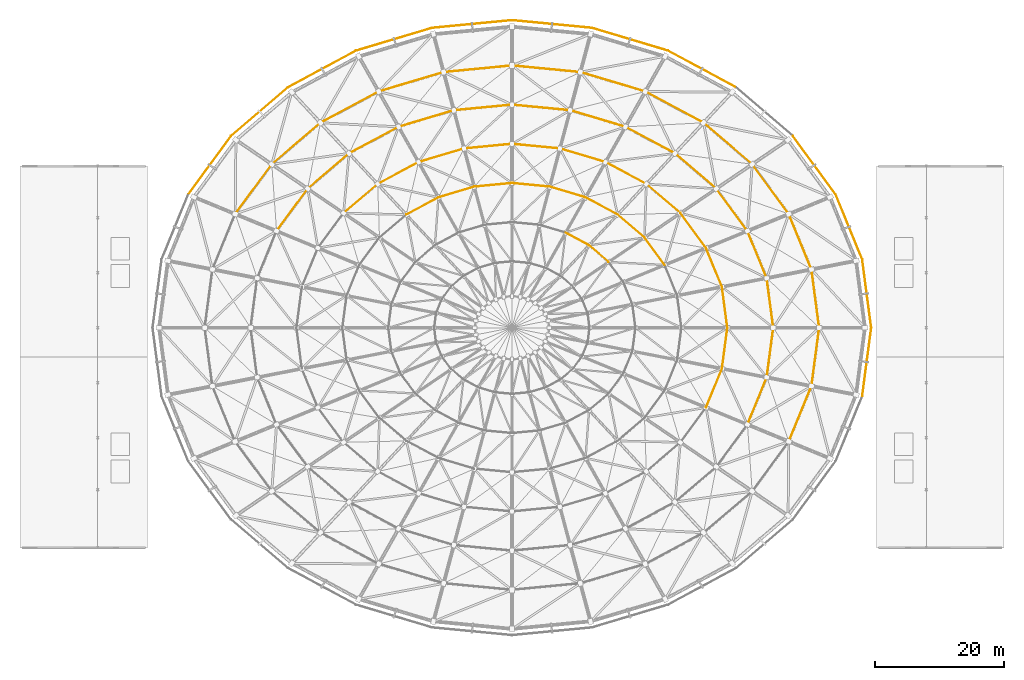
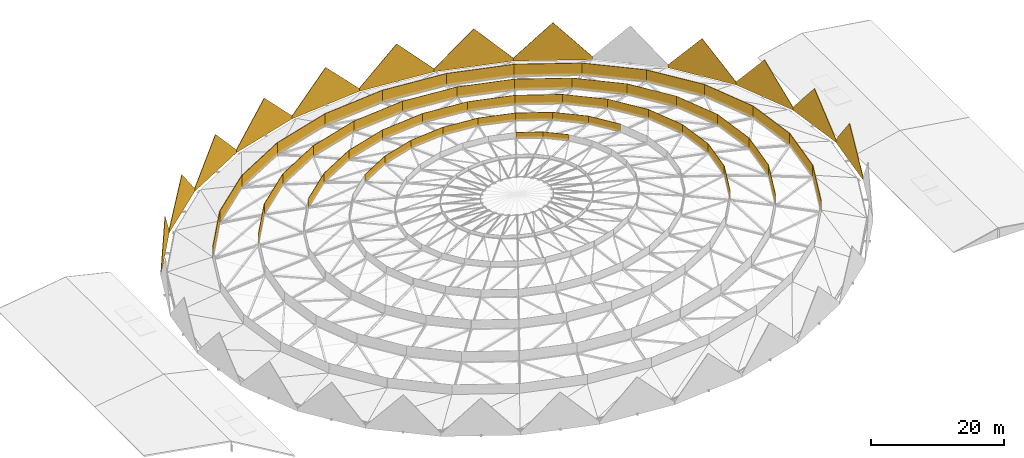
# One storey, part 26 of 27: 63 coverings.
"""IFC4 building model written with IfcOpenShell, lengths in metres."""

from ifc_helpers import new_model, si_unit, direction, frame, frame_2d, origin, place, context, subcontext, project, spatial, polyline, rectangle, outline, extrude, material, layer, layer_set, type_object, element, save


model = new_model("IFC4")

# Units and contexts
model_context = context("Model", 3, precision=1e-05, world=origin(), true_north=direction((0.0, 1.0)))
body_context = subcontext(model_context, "Body", "Model", "MODEL_VIEW")
ifc_project = project(units=[si_unit("LENGTHUNIT", "METRE"), si_unit("AREAUNIT", "SQUARE_METRE"), si_unit("VOLUMEUNIT", "CUBIC_METRE"), si_unit("PLANEANGLEUNIT", "RADIAN"), si_unit("MASSUNIT", "GRAM", prefix="KILO")], contexts=[model_context])

# Site, building, storey
site_placement = place(None, origin())
site = spatial("IfcSite", under=ifc_project, at=site_placement, CompositionType="ELEMENT")
building_placement = place(site_placement, origin())
building = spatial("IfcBuilding", under=site, at=building_placement, Name="Cuetzalor Civic Arena", CompositionType="ELEMENT")
storey_placement = place(building_placement, frame((0.0, 0.0, 31.800048828125)))
storey = spatial("IfcBuildingStorey", under=building, at=storey_placement, Name="Roof", CompositionType="ELEMENT", Elevation=31.800048828125)

# Coverings
ifc_material = material(Name="Terracotta-red perforated anodised aluminium panel", Category="masonry")
ifc_layer = layer(ifc_material, 0.080078125)
ifc_layer_set = layer_set([ifc_layer], Name="Terracotta-red perforated anodised aluminium panel")
covering_type = type_object("IfcCoveringType", Name="TerracottaPerforatedScreenPanel", PredefinedType="CLADDING", material=ifc_layer_set)
covering_1_placement = place(storey_placement, frame((54.1083984375, 10.569580078125, -0.1201171875), z_axis=(0.0, 0.0, 1.0), x_axis=(0.130534485624, -0.991443769491, 0.0)))
element("IfcCovering", 1, at=covering_1_placement, inside=storey, type_object=covering_type, Name="Terracotta Sawtooth Crest Panel S01", PredefinedType="CLADDING", context=body_context, shape_type="SweptSolid", body=[
    extrude(outline(polyline([(0.0, 0.0), (10.660888671875, 0.0), (10.660888671875, 0.52001953125), (5.330322265625, 6.920166015625), (0.0, 0.52001953125), (0.0, 0.0)])), frame((0.0, 0.0400390625, 0.0), z_axis=(0.0, -1.0, 0.0), x_axis=(1.0, 0.0, 0.0)), (0.0, 0.0, 1.0), 0.080078125),
])
covering_2_placement = place(storey_placement, frame((50.00390625, 20.609619140625, -0.1201171875), z_axis=(0.0, 0.0, 1.0), x_axis=(0.378411973316, -0.925637282336, 0.0)))
element("IfcCovering", 2, at=covering_2_placement, inside=storey, type_object=covering_type, Name="Terracotta Sawtooth Crest Panel S02", PredefinedType="CLADDING", context=body_context, shape_type="SweptSolid", body=[
    extrude(outline(polyline([(0.0, 0.0), (10.8466796875, 0.0), (10.846435546875, 0.52001953125), (5.42333984375, 6.920166015625), (0.0, 0.52001953125), (0.0, 0.0)])), frame((0.0, 0.0400390625, 0.0), z_axis=(0.0, -1.0, 0.0), x_axis=(1.0, 0.0, 0.0)), (0.0, 0.0, 1.0), 0.080078125),
])
covering_3_placement = place(storey_placement, frame((43.3916015625, 29.61572265625, -0.1201171875), z_axis=(0.0, 0.0, 1.0), x_axis=(0.591819224601, -0.806070719846, 0.0)))
element("IfcCovering", 3, at=covering_3_placement, inside=storey, type_object=covering_type, Name="Terracotta Sawtooth Crest Panel S03", PredefinedType="CLADDING", context=body_context, shape_type="SweptSolid", body=[
    extrude(outline(polyline([(0.0, 0.0), (11.1728515625, 0.0), (11.1728515625, 0.52001953125), (5.58642578125, 6.920166015625), (0.0, 0.52001953125), (0.0, 0.0)])), frame((0.0, 0.0400390625, 0.0), z_axis=(0.0, -1.0, 0.0), x_axis=(1.0, 0.0, 0.0)), (0.0, 0.0, 1.0), 0.080078125),
])
covering_4_placement = place(storey_placement, frame((24.08056640625, 42.7958984375, -0.1201171875), z_axis=(0.0, 0.0, 1.0), x_axis=(0.880729476331, -0.473619667584, 0.0)))
element("IfcCovering", 4, at=covering_4_placement, inside=storey, type_object=covering_type, Name="Terracotta Sawtooth Crest Panel S05", PredefinedType="CLADDING", context=body_context, shape_type="SweptSolid", body=[
    extrude(outline(polyline([(0.0, 0.0), (11.9482421875, 0.0), (11.9482421875, 0.52001953125), (5.97412109375, 6.920166015625), (0.0, 0.52001953125), (0.0, 0.0)])), frame((0.0, 0.0400390625, 0.0), z_axis=(0.0, -1.0, 0.0), x_axis=(1.0, 0.0, 0.0)), (0.0, 0.0, 1.0), 0.080078125),
])
covering_5_placement = place(storey_placement, frame((12.349853515625, 46.30908203125, -0.1201171875), z_axis=(0.0, 0.0, 1.0), x_axis=(0.957961714935, -0.286896066056, 0.0)))
element("IfcCovering", 5, at=covering_5_placement, inside=storey, type_object=covering_type, Name="Terracotta Sawtooth Crest Panel S06", PredefinedType="CLADDING", context=body_context, shape_type="SweptSolid", body=[
    extrude(outline(polyline([(0.0, 0.0), (12.24560546875, 0.0), (12.245361328125, 0.52001953125), (6.122802734375, 6.920166015625), (0.0, 0.52001953125), (0.0, 0.0)])), frame((0.0, 0.0400390625, 0.0), z_axis=(0.0, -1.0, 0.0), x_axis=(1.0, 0.0, 0.0)), (0.0, 0.0, 1.0), 0.080078125),
])
for number, where, z_axis, x_axis, name in (
    (6, (0.0, 47.5, -0.1201171875), (0.0, 0.0, 1.0), (0.995382637025, -0.095986488157, 0.0), "Terracotta Sawtooth Crest Panel S07"),
    (7, (-12.349853515625, 46.30908203125, -0.1201171875), (0.0, 0.0, 1.0), (0.995382637025, 0.095986488157, 0.0), "Terracotta Sawtooth Crest Panel S08"),
):
    element("IfcCovering", number, at=place(storey_placement, frame(where, z_axis=z_axis, x_axis=x_axis)), inside=storey, type_object=covering_type, Name=name, PredefinedType="CLADDING", context=body_context, shape_type="SweptSolid", body=[
        extrude(outline(polyline([(0.0, 0.0), (12.4072265625, 0.0), (12.4072265625, 0.52001953125), (6.20361328125, 6.920166015625), (0.0, 0.52001953125), (0.0, 0.0)])), frame((0.0, 0.0400390625, 0.0), z_axis=(0.0, -1.0, 0.0), x_axis=(1.0, 0.0, 0.0)), (0.0, 0.0, 1.0), 0.080078125),
    ])
covering_6_placement = place(storey_placement, frame((-24.08056640625, 42.7958984375, -0.1201171875), z_axis=(0.0, 0.0, 1.0), x_axis=(0.957961714935, 0.286896066056, 0.0)))
element("IfcCovering", 8, at=covering_6_placement, inside=storey, type_object=covering_type, Name="Terracotta Sawtooth Crest Panel S09", PredefinedType="CLADDING", context=body_context, shape_type="SweptSolid", body=[
    extrude(outline(polyline([(0.0, 0.0), (12.24560546875, 0.0), (12.245361328125, 0.52001953125), (6.122802734375, 6.920166015625), (0.0, 0.52001953125), (0.0, 0.0)])), frame((0.0, 0.0400390625, 0.0), z_axis=(0.0, -1.0, 0.0), x_axis=(1.0, 0.0, 0.0)), (0.0, 0.0, 1.0), 0.080078125),
])
covering_7_placement = place(storey_placement, frame((-34.603759765625, 37.136962890625, -0.1201171875), z_axis=(0.0, 0.0, 1.0), x_axis=(0.880729476331, 0.473619667584, 0.0)))
element("IfcCovering", 9, at=covering_7_placement, inside=storey, type_object=covering_type, Name="Terracotta Sawtooth Crest Panel S10", PredefinedType="CLADDING", context=body_context, shape_type="SweptSolid", body=[
    extrude(outline(polyline([(0.0, 0.0), (11.9482421875, 0.0), (11.9482421875, 0.52001953125), (5.97412109375, 6.920166015625), (0.0, 0.52001953125), (0.0, 0.0)])), frame((0.0, 0.0400390625, 0.0), z_axis=(0.0, -1.0, 0.0), x_axis=(1.0, 0.0, 0.0)), (0.0, 0.0, 1.0), 0.080078125),
])
covering_8_placement = place(storey_placement, frame((-43.3916015625, 29.61572265625, -0.1201171875), z_axis=(0.0, 0.0, 1.0), x_axis=(0.759734649699, 0.650233236652, 0.0)))
element("IfcCovering", 10, at=covering_8_placement, inside=storey, type_object=covering_type, Name="Terracotta Sawtooth Crest Panel S11", PredefinedType="CLADDING", context=body_context, shape_type="SweptSolid", body=[
    extrude(outline(polyline([(0.0, 0.0), (11.56689453125, 0.0), (11.56689453125, 0.52001953125), (5.783447265625, 6.920166015625), (0.0, 0.52001953125), (0.0, 0.0)])), frame((0.0, 0.0400390625, 0.0), z_axis=(0.0, -1.0, 0.0), x_axis=(1.0, 0.0, 0.0)), (0.0, 0.0, 1.0), 0.080078125),
])
covering_9_placement = place(storey_placement, frame((-50.00390625, 20.609619140625, -0.1201171875), z_axis=(0.0, 0.0, 1.0), x_axis=(0.591819224601, 0.806070719846, 0.0)))
element("IfcCovering", 11, at=covering_9_placement, inside=storey, type_object=covering_type, Name="Terracotta Sawtooth Crest Panel S12", PredefinedType="CLADDING", context=body_context, shape_type="SweptSolid", body=[
    extrude(outline(polyline([(0.0, 0.0), (11.1728515625, 0.0), (11.1728515625, 0.52001953125), (5.58642578125, 6.920166015625), (0.0, 0.52001953125), (0.0, 0.0)])), frame((0.0, 0.0400390625, 0.0), z_axis=(0.0, -1.0, 0.0), x_axis=(1.0, 0.0, 0.0)), (0.0, 0.0, 1.0), 0.080078125),
])
covering_10_placement = place(storey_placement, frame((55.5, 0.0, -0.1201171875), z_axis=(0.0, 0.0, 1.0), x_axis=(-0.130534485624, -0.991443769491, 0.0)))
element("IfcCovering", 12, at=covering_10_placement, inside=storey, type_object=covering_type, Name="Terracotta Sawtooth Crest Panel S28", PredefinedType="CLADDING", context=body_context, shape_type="SweptSolid", body=[
    extrude(outline(polyline([(0.0, 0.0), (10.660888671875, 0.0), (10.660888671875, 0.52001953125), (5.330322265625, 6.920166015625), (0.0, 0.52001953125), (0.0, 0.0)])), frame((0.0, 0.0400390625, 0.0), z_axis=(0.0, -1.0, 0.0), x_axis=(1.0, 0.0, 0.0)), (0.0, 0.0, 1.0), 0.080078125),
])
covering_11_placement = place(storey_placement, frame((46.2685546875, 9.01171875, 2.06103515625), z_axis=(0.0, 0.0, 1.0), x_axis=(0.130907488693, -0.991394588146, 0.0)))
element("IfcCovering", 13, at=covering_11_placement, inside=storey, type_object=covering_type, Name="Dome Acoustic Clerestory Baffle Ring 1 S01", PredefinedType="CLADDING", context=body_context, shape_type="SweptSolid", body=[
    extrude(rectangle(XDim=9.08984375, YDim=0.080078125, at=frame_2d((4.544921875, 0.0))), origin(), (0.0, 0.0, 1.0), 2.263671875),
])
covering_12_placement = place(storey_placement, frame((42.758544921875, 17.571533203125, 2.06103515625), z_axis=(0.0, 0.0, 1.0), x_axis=(0.379398237974, -0.925233471629, 0.0)))
element("IfcCovering", 14, at=covering_12_placement, inside=storey, type_object=covering_type, Name="Dome Acoustic Clerestory Baffle Ring 1 S02", PredefinedType="CLADDING", context=body_context, shape_type="SweptSolid", body=[
    extrude(rectangle(XDim=9.25146484375, YDim=0.080078125, at=frame_2d((4.625732421875, 0.0))), origin(), (0.0, 0.0, 1.0), 2.263671875),
])
covering_13_placement = place(storey_placement, frame((37.1044921875, 25.25048828125, 2.06103515625), z_axis=(0.0, 0.0, 1.0), x_axis=(0.592918666159, -0.805262351858, 0.0)))
element("IfcCovering", 15, at=covering_13_placement, inside=storey, type_object=covering_type, Name="Dome Acoustic Clerestory Baffle Ring 1 S03", PredefinedType="CLADDING", context=body_context, shape_type="SweptSolid", body=[
    extrude(rectangle(XDim=9.535888671875, YDim=0.080078125, at=frame_2d((4.76806640625, 0.0))), origin(), (0.0, 0.0, 1.0), 2.263671875),
])
covering_14_placement = place(storey_placement, frame((29.58984375, 31.6630859375, 2.06103515625), z_axis=(0.0, 0.0, 1.0), x_axis=(0.760681764148, -0.649124990809, 0.0)))
element("IfcCovering", 16, at=covering_14_placement, inside=storey, type_object=covering_type, Name="Dome Acoustic Clerestory Baffle Ring 1 S04", PredefinedType="CLADDING", context=body_context, shape_type="SweptSolid", body=[
    extrude(rectangle(XDim=9.87890625, YDim=0.080078125, at=frame_2d((4.939453125, 0.0))), origin(), (0.0, 0.0, 1.0), 2.263671875),
])
covering_15_placement = place(storey_placement, frame((20.591552734375, 36.48779296875, 2.06103515625), z_axis=(0.0, 0.0, 1.0), x_axis=(0.881308929079, -0.472540550139, 0.0)))
element("IfcCovering", 17, at=covering_15_placement, inside=storey, type_object=covering_type, Name="Dome Acoustic Clerestory Baffle Ring 1 S05", PredefinedType="CLADDING", context=body_context, shape_type="SweptSolid", body=[
    extrude(rectangle(XDim=10.210205078125, YDim=0.080078125, at=frame_2d((5.10498046875, 0.0))), origin(), (0.0, 0.0, 1.0), 2.263671875),
])
covering_16_placement = place(storey_placement, frame((10.560546875, 39.483154296875, 2.06103515625), z_axis=(0.0, 0.0, 1.0), x_axis=(0.95819201033, -0.286125971104, 0.0)))
element("IfcCovering", 18, at=covering_16_placement, inside=storey, type_object=covering_type, Name="Dome Acoustic Clerestory Baffle Ring 1 S06", PredefinedType="CLADDING", context=body_context, shape_type="SweptSolid", body=[
    extrude(rectangle(XDim=10.46875, YDim=0.080078125, at=frame_2d((5.234375, 0.0))), origin(), (0.0, 0.0, 1.0), 2.263671875),
])
for number, where, z_axis, x_axis, name in (
    (19, (0.0, 40.49853515625, 2.06103515625), (0.0, 0.0, 1.0), (0.995409535031, -0.095707144817, 0.0), "Dome Acoustic Clerestory Baffle Ring 1 S07"),
    (20, (-10.560546875, 39.483154296875, 2.06103515625), (0.0, 0.0, 1.0), (0.995409535031, 0.095707144817, 0.0), "Dome Acoustic Clerestory Baffle Ring 1 S08"),
):
    element("IfcCovering", number, at=place(storey_placement, frame(where, z_axis=z_axis, x_axis=x_axis)), inside=storey, type_object=covering_type, Name=name, PredefinedType="CLADDING", context=body_context, shape_type="SweptSolid", body=[
        extrude(rectangle(XDim=10.609130859375, YDim=0.080078125, at=frame_2d((5.3046875, 0.0))), origin(), (0.0, 0.0, 1.0), 2.263671875),
    ])
covering_17_placement = place(storey_placement, frame((-20.591552734375, 36.48779296875, 2.06103515625), z_axis=(0.0, 0.0, 1.0), x_axis=(0.95819201033, 0.286125971104, 0.0)))
element("IfcCovering", 21, at=covering_17_placement, inside=storey, type_object=covering_type, Name="Dome Acoustic Clerestory Baffle Ring 1 S09", PredefinedType="CLADDING", context=body_context, shape_type="SweptSolid", body=[
    extrude(rectangle(XDim=10.46875, YDim=0.080078125, at=frame_2d((5.234375, 0.0))), origin(), (0.0, 0.0, 1.0), 2.263671875),
])
covering_18_placement = place(storey_placement, frame((-29.58984375, 31.6630859375, 2.06103515625), z_axis=(0.0, 0.0, 1.0), x_axis=(0.881308929079, 0.472540550139, 0.0)))
element("IfcCovering", 22, at=covering_18_placement, inside=storey, type_object=covering_type, Name="Dome Acoustic Clerestory Baffle Ring 1 S10", PredefinedType="CLADDING", context=body_context, shape_type="SweptSolid", body=[
    extrude(rectangle(XDim=10.210205078125, YDim=0.080078125, at=frame_2d((5.10498046875, 0.0))), origin(), (0.0, 0.0, 1.0), 2.263671875),
])
covering_19_placement = place(storey_placement, frame((-37.1044921875, 25.25048828125, 2.06103515625), z_axis=(0.0, 0.0, 1.0), x_axis=(0.760681764148, 0.649124990809, 0.0)))
element("IfcCovering", 23, at=covering_19_placement, inside=storey, type_object=covering_type, Name="Dome Acoustic Clerestory Baffle Ring 1 S11", PredefinedType="CLADDING", context=body_context, shape_type="SweptSolid", body=[
    extrude(rectangle(XDim=9.87890625, YDim=0.080078125, at=frame_2d((4.939453125, 0.0))), origin(), (0.0, 0.0, 1.0), 2.263671875),
])
covering_20_placement = place(storey_placement, frame((-42.758544921875, 17.571533203125, 2.06103515625), z_axis=(0.0, 0.0, 1.0), x_axis=(0.592918666159, 0.805262351858, 0.0)))
element("IfcCovering", 24, at=covering_20_placement, inside=storey, type_object=covering_type, Name="Dome Acoustic Clerestory Baffle Ring 1 S12", PredefinedType="CLADDING", context=body_context, shape_type="SweptSolid", body=[
    extrude(rectangle(XDim=9.535888671875, YDim=0.080078125, at=frame_2d((4.76806640625, 0.0))), origin(), (0.0, 0.0, 1.0), 2.263671875),
])
covering_21_placement = place(storey_placement, frame((46.2685546875, -9.01171875, 2.06103515625), z_axis=(0.0, 0.0, 1.0), x_axis=(-0.379398237974, -0.925233471629, 0.0)))
element("IfcCovering", 25, at=covering_21_placement, inside=storey, type_object=covering_type, Name="Dome Acoustic Clerestory Baffle Ring 1 S27", PredefinedType="CLADDING", context=body_context, shape_type="SweptSolid", body=[
    extrude(rectangle(XDim=9.25146484375, YDim=0.080078125, at=frame_2d((4.625732421875, 0.0))), origin(), (0.0, 0.0, 1.0), 2.263671875),
])
covering_22_placement = place(storey_placement, frame((47.45849609375, 0.0, 2.06103515625), z_axis=(0.0, 0.0, 1.0), x_axis=(-0.130907488693, -0.991394588146, 0.0)))
element("IfcCovering", 26, at=covering_22_placement, inside=storey, type_object=covering_type, Name="Dome Acoustic Clerestory Baffle Ring 1 S28", PredefinedType="CLADDING", context=body_context, shape_type="SweptSolid", body=[
    extrude(rectangle(XDim=9.08984375, YDim=0.080078125, at=frame_2d((4.544921875, 0.0))), origin(), (0.0, 0.0, 1.0), 2.263671875),
])
covering_23_placement = place(storey_placement, frame((39.35498046875, 7.665283203125, 3.95458984375), z_axis=(0.0, 0.0, 1.0), x_axis=(0.130883326155, -0.991397778359, 0.0)))
element("IfcCovering", 27, at=covering_23_placement, inside=storey, type_object=covering_type, Name="Dome Acoustic Clerestory Baffle Ring 2 S01", PredefinedType="CLADDING", context=body_context, shape_type="SweptSolid", body=[
    extrude(rectangle(XDim=7.731689453125, YDim=0.080078125, at=frame_2d((3.86572265625, 0.0))), origin(), (0.0, 0.0, 1.0), 2.031982421875),
])
covering_24_placement = place(storey_placement, frame((36.369384765625, 14.946044921875, 3.95458984375), z_axis=(0.0, 0.0, 1.0), x_axis=(0.379405869929, -0.925230342057, 0.0)))
element("IfcCovering", 28, at=covering_24_placement, inside=storey, type_object=covering_type, Name="Dome Acoustic Clerestory Baffle Ring 2 S02", PredefinedType="CLADDING", context=body_context, shape_type="SweptSolid", body=[
    extrude(rectangle(XDim=7.869140625, YDim=0.080078125, at=frame_2d((3.9345703125, 0.0))), origin(), (0.0, 0.0, 1.0), 2.031982421875),
])
covering_25_placement = place(storey_placement, frame((31.560302734375, 21.477294921875, 3.95458984375), z_axis=(0.0, 0.0, 1.0), x_axis=(0.592925880885, -0.80525703957, 0.0)))
element("IfcCovering", 29, at=covering_25_placement, inside=storey, type_object=covering_type, Name="Dome Acoustic Clerestory Baffle Ring 2 S03", PredefinedType="CLADDING", context=body_context, shape_type="SweptSolid", body=[
    extrude(rectangle(XDim=8.11083984375, YDim=0.080078125, at=frame_2d((4.055419921875, 0.0))), origin(), (0.0, 0.0, 1.0), 2.031982421875),
])
covering_26_placement = place(storey_placement, frame((25.16845703125, 26.931640625, 3.95458984375), z_axis=(0.0, 0.0, 1.0), x_axis=(0.760688366944, -0.649117253195, 0.0)))
element("IfcCovering", 30, at=covering_26_placement, inside=storey, type_object=covering_type, Name="Dome Acoustic Clerestory Baffle Ring 2 S04", PredefinedType="CLADDING", context=body_context, shape_type="SweptSolid", body=[
    extrude(rectangle(XDim=8.40283203125, YDim=0.080078125, at=frame_2d((4.201416015625, 0.0))), origin(), (0.0, 0.0, 1.0), 2.031982421875),
])
covering_27_placement = place(storey_placement, frame((17.5146484375, 31.03564453125, 3.95458984375), z_axis=(0.0, 0.0, 1.0), x_axis=(0.88130020339, -0.472556823572, 0.0)))
element("IfcCovering", 31, at=covering_27_placement, inside=storey, type_object=covering_type, Name="Dome Acoustic Clerestory Baffle Ring 2 S05", PredefinedType="CLADDING", context=body_context, shape_type="SweptSolid", body=[
    extrude(rectangle(XDim=8.6845703125, YDim=0.080078125, at=frame_2d((4.34228515625, 0.0))), origin(), (0.0, 0.0, 1.0), 2.031982421875),
])
covering_28_placement = place(storey_placement, frame((8.982421875, 33.583251953125, 3.95458984375), z_axis=(0.0, 0.0, 1.0), x_axis=(0.958198261041, -0.286105037598, 0.0)))
element("IfcCovering", 32, at=covering_28_placement, inside=storey, type_object=covering_type, Name="Dome Acoustic Clerestory Baffle Ring 2 S06", PredefinedType="CLADDING", context=body_context, shape_type="SweptSolid", body=[
    extrude(rectangle(XDim=8.904541015625, YDim=0.080078125, at=frame_2d((4.4521484375, 0.0))), origin(), (0.0, 0.0, 1.0), 2.031982421875),
])
for number, where, z_axis, x_axis, name in (
    (33, (0.0, 34.447021484375, 3.95458984375), (0.0, 0.0, 1.0), (0.995408235955, -0.095720655001, 0.0), "Dome Acoustic Clerestory Baffle Ring 2 S07"),
    (34, (-8.982421875, 33.583251953125, 3.95458984375), (0.0, 0.0, 1.0), (0.995408235955, 0.095720655001, 0.0), "Dome Acoustic Clerestory Baffle Ring 2 S08"),
):
    element("IfcCovering", number, at=place(storey_placement, frame(where, z_axis=z_axis, x_axis=x_axis)), inside=storey, type_object=covering_type, Name=name, PredefinedType="CLADDING", context=body_context, shape_type="SweptSolid", body=[
        extrude(rectangle(XDim=9.02392578125, YDim=0.080078125, at=frame_2d((4.511962890625, 0.0))), origin(), (0.0, 0.0, 1.0), 2.031982421875),
    ])
covering_29_placement = place(storey_placement, frame((-17.5146484375, 31.03564453125, 3.95458984375), z_axis=(0.0, 0.0, 1.0), x_axis=(0.958198261041, 0.286105037598, 0.0)))
element("IfcCovering", 35, at=covering_29_placement, inside=storey, type_object=covering_type, Name="Dome Acoustic Clerestory Baffle Ring 2 S09", PredefinedType="CLADDING", context=body_context, shape_type="SweptSolid", body=[
    extrude(rectangle(XDim=8.904541015625, YDim=0.080078125, at=frame_2d((4.4521484375, 0.0))), origin(), (0.0, 0.0, 1.0), 2.031982421875),
])
covering_30_placement = place(storey_placement, frame((-25.16845703125, 26.931640625, 3.95458984375), z_axis=(0.0, 0.0, 1.0), x_axis=(0.88130020339, 0.472556823572, 0.0)))
element("IfcCovering", 36, at=covering_30_placement, inside=storey, type_object=covering_type, Name="Dome Acoustic Clerestory Baffle Ring 2 S10", PredefinedType="CLADDING", context=body_context, shape_type="SweptSolid", body=[
    extrude(rectangle(XDim=8.6845703125, YDim=0.080078125, at=frame_2d((4.34228515625, 0.0))), origin(), (0.0, 0.0, 1.0), 2.031982421875),
])
covering_31_placement = place(storey_placement, frame((-31.560302734375, 21.477294921875, 3.95458984375), z_axis=(0.0, 0.0, 1.0), x_axis=(0.760688366944, 0.649117253195, 0.0)))
element("IfcCovering", 37, at=covering_31_placement, inside=storey, type_object=covering_type, Name="Dome Acoustic Clerestory Baffle Ring 2 S11", PredefinedType="CLADDING", context=body_context, shape_type="SweptSolid", body=[
    extrude(rectangle(XDim=8.40283203125, YDim=0.080078125, at=frame_2d((4.201416015625, 0.0))), origin(), (0.0, 0.0, 1.0), 2.031982421875),
])
covering_32_placement = place(storey_placement, frame((-36.369384765625, 14.946044921875, 3.95458984375), z_axis=(0.0, 0.0, 1.0), x_axis=(0.592925880885, 0.80525703957, 0.0)))
element("IfcCovering", 38, at=covering_32_placement, inside=storey, type_object=covering_type, Name="Dome Acoustic Clerestory Baffle Ring 2 S12", PredefinedType="CLADDING", context=body_context, shape_type="SweptSolid", body=[
    extrude(rectangle(XDim=8.11083984375, YDim=0.080078125, at=frame_2d((4.055419921875, 0.0))), origin(), (0.0, 0.0, 1.0), 2.031982421875),
])
covering_33_placement = place(storey_placement, frame((39.35498046875, -7.665283203125, 3.95458984375), z_axis=(0.0, 0.0, 1.0), x_axis=(-0.379405869929, -0.925230342057, 0.0)))
element("IfcCovering", 39, at=covering_33_placement, inside=storey, type_object=covering_type, Name="Dome Acoustic Clerestory Baffle Ring 2 S27", PredefinedType="CLADDING", context=body_context, shape_type="SweptSolid", body=[
    extrude(rectangle(XDim=7.869140625, YDim=0.080078125, at=frame_2d((3.9345703125, 0.0))), origin(), (0.0, 0.0, 1.0), 2.031982421875),
])
covering_34_placement = place(storey_placement, frame((40.366943359375, 0.0, 3.95458984375), z_axis=(0.0, 0.0, 1.0), x_axis=(-0.130883326155, -0.991397778359, 0.0)))
element("IfcCovering", 40, at=covering_34_placement, inside=storey, type_object=covering_type, Name="Dome Acoustic Clerestory Baffle Ring 2 S28", PredefinedType="CLADDING", context=body_context, shape_type="SweptSolid", body=[
    extrude(rectangle(XDim=7.731689453125, YDim=0.080078125, at=frame_2d((3.86572265625, 0.0))), origin(), (0.0, 0.0, 1.0), 2.031982421875),
])
covering_35_placement = place(storey_placement, frame((32.441162109375, 6.318603515625, 5.616455078125), z_axis=(0.0, 0.0, 1.0), x_axis=(0.130891485179, -0.991396701178, 0.0)))
element("IfcCovering", 41, at=covering_35_placement, inside=storey, type_object=covering_type, Name="Dome Acoustic Clerestory Baffle Ring 3 S01", PredefinedType="CLADDING", context=body_context, shape_type="SweptSolid", body=[
    extrude(rectangle(XDim=6.37353515625, YDim=0.080078125, at=frame_2d((3.186767578125, 0.0))), origin(), (0.0, 0.0, 1.0), 1.781005859375),
])
covering_36_placement = place(storey_placement, frame((29.980224609375, 12.3203125, 5.616455078125), z_axis=(0.0, 0.0, 1.0), x_axis=(0.379384535293, -0.925239090387, 0.0)))
element("IfcCovering", 42, at=covering_36_placement, inside=storey, type_object=covering_type, Name="Dome Acoustic Clerestory Baffle Ring 3 S02", PredefinedType="CLADDING", context=body_context, shape_type="SweptSolid", body=[
    extrude(rectangle(XDim=6.486572265625, YDim=0.080078125, at=frame_2d((3.2431640625, 0.0))), origin(), (0.0, 0.0, 1.0), 1.781005859375),
])
covering_37_placement = place(storey_placement, frame((26.015869140625, 17.704345703125, 5.616455078125), z_axis=(0.0, 0.0, 1.0), x_axis=(0.592924979879, -0.805257702997, 0.0)))
element("IfcCovering", 43, at=covering_37_placement, inside=storey, type_object=covering_type, Name="Dome Acoustic Clerestory Baffle Ring 3 S03", PredefinedType="CLADDING", context=body_context, shape_type="SweptSolid", body=[
    extrude(rectangle(XDim=6.68603515625, YDim=0.080078125, at=frame_2d((3.343017578125, 0.0))), origin(), (0.0, 0.0, 1.0), 1.781005859375),
])
covering_38_placement = place(storey_placement, frame((20.746826171875, 22.200439453125, 5.616455078125), z_axis=(0.0, 0.0, 1.0), x_axis=(0.760697783839, -0.649106217551, 0.0)))
element("IfcCovering", 44, at=covering_38_placement, inside=storey, type_object=covering_type, Name="Dome Acoustic Clerestory Baffle Ring 3 S04", PredefinedType="CLADDING", context=body_context, shape_type="SweptSolid", body=[
    extrude(rectangle(XDim=6.926513671875, YDim=0.080078125, at=frame_2d((3.46337890625, 0.0))), origin(), (0.0, 0.0, 1.0), 1.781005859375),
])
covering_39_placement = place(storey_placement, frame((14.437744140625, 25.58349609375, 5.616455078125), z_axis=(0.0, 0.0, 1.0), x_axis=(0.881294345533, -0.472567748086, 0.0)))
element("IfcCovering", 45, at=covering_39_placement, inside=storey, type_object=covering_type, Name="Dome Acoustic Clerestory Baffle Ring 3 S05", PredefinedType="CLADDING", context=body_context, shape_type="SweptSolid", body=[
    extrude(rectangle(XDim=7.158935546875, YDim=0.080078125, at=frame_2d((3.57958984375, 0.0))), origin(), (0.0, 0.0, 1.0), 1.781005859375),
])
covering_40_placement = place(storey_placement, frame((7.404541015625, 27.68359375, 5.616455078125), z_axis=(0.0, 0.0, 1.0), x_axis=(0.958195334565, -0.286114838515, 0.0)))
element("IfcCovering", 46, at=covering_40_placement, inside=storey, type_object=covering_type, Name="Dome Acoustic Clerestory Baffle Ring 3 S06", PredefinedType="CLADDING", context=body_context, shape_type="SweptSolid", body=[
    extrude(rectangle(XDim=7.340087890625, YDim=0.080078125, at=frame_2d((3.669921875, 0.0))), origin(), (0.0, 0.0, 1.0), 1.781005859375),
])
for number, where, z_axis, x_axis, name in (
    (47, (0.0, 28.3955078125, 5.616455078125), (0.0, 0.0, 1.0), (0.995409810791, -0.095704276708, 0.0), "Dome Acoustic Clerestory Baffle Ring 3 S07"),
    (48, (-7.404541015625, 27.68359375, 5.616455078125), (0.0, 0.0, 1.0), (0.995409810791, 0.095704276708, 0.0), "Dome Acoustic Clerestory Baffle Ring 3 S08"),
):
    element("IfcCovering", number, at=place(storey_placement, frame(where, z_axis=z_axis, x_axis=x_axis)), inside=storey, type_object=covering_type, Name=name, PredefinedType="CLADDING", context=body_context, shape_type="SweptSolid", body=[
        extrude(rectangle(XDim=7.438720703125, YDim=0.080078125, at=frame_2d((3.71923828125, 0.0))), origin(), (0.0, 0.0, 1.0), 1.781005859375),
    ])
covering_41_placement = place(storey_placement, frame((-14.437744140625, 25.58349609375, 5.616455078125), z_axis=(0.0, 0.0, 1.0), x_axis=(0.958195334565, 0.286114838515, 0.0)))
element("IfcCovering", 49, at=covering_41_placement, inside=storey, type_object=covering_type, Name="Dome Acoustic Clerestory Baffle Ring 3 S09", PredefinedType="CLADDING", context=body_context, shape_type="SweptSolid", body=[
    extrude(rectangle(XDim=7.340087890625, YDim=0.080078125, at=frame_2d((3.669921875, 0.0))), origin(), (0.0, 0.0, 1.0), 1.781005859375),
])
covering_42_placement = place(storey_placement, frame((-20.746826171875, 22.200439453125, 5.616455078125), z_axis=(0.0, 0.0, 1.0), x_axis=(0.881294345533, 0.472567748086, 0.0)))
element("IfcCovering", 50, at=covering_42_placement, inside=storey, type_object=covering_type, Name="Dome Acoustic Clerestory Baffle Ring 3 S10", PredefinedType="CLADDING", context=body_context, shape_type="SweptSolid", body=[
    extrude(rectangle(XDim=7.158935546875, YDim=0.080078125, at=frame_2d((3.57958984375, 0.0))), origin(), (0.0, 0.0, 1.0), 1.781005859375),
])
covering_43_placement = place(storey_placement, frame((-26.015869140625, 17.704345703125, 5.616455078125), z_axis=(0.0, 0.0, 1.0), x_axis=(0.760697783839, 0.649106217551, 0.0)))
element("IfcCovering", 51, at=covering_43_placement, inside=storey, type_object=covering_type, Name="Dome Acoustic Clerestory Baffle Ring 3 S11", PredefinedType="CLADDING", context=body_context, shape_type="SweptSolid", body=[
    extrude(rectangle(XDim=6.926513671875, YDim=0.080078125, at=frame_2d((3.46337890625, 0.0))), origin(), (0.0, 0.0, 1.0), 1.781005859375),
])
covering_44_placement = place(storey_placement, frame((32.441162109375, -6.318603515625, 5.616455078125), z_axis=(0.0, 0.0, 1.0), x_axis=(-0.379384535293, -0.925239090387, 0.0)))
element("IfcCovering", 52, at=covering_44_placement, inside=storey, type_object=covering_type, Name="Dome Acoustic Clerestory Baffle Ring 3 S27", PredefinedType="CLADDING", context=body_context, shape_type="SweptSolid", body=[
    extrude(rectangle(XDim=6.486572265625, YDim=0.080078125, at=frame_2d((3.2431640625, 0.0))), origin(), (0.0, 0.0, 1.0), 1.781005859375),
])
covering_45_placement = place(storey_placement, frame((33.275390625, 0.0, 5.616455078125), z_axis=(0.0, 0.0, 1.0), x_axis=(-0.130891485179, -0.991396701178, 0.0)))
element("IfcCovering", 53, at=covering_45_placement, inside=storey, type_object=covering_type, Name="Dome Acoustic Clerestory Baffle Ring 3 S28", PredefinedType="CLADDING", context=body_context, shape_type="SweptSolid", body=[
    extrude(rectangle(XDim=6.37353515625, YDim=0.080078125, at=frame_2d((3.186767578125, 0.0))), origin(), (0.0, 0.0, 1.0), 1.781005859375),
])
covering_46_placement = place(storey_placement, frame((20.471435546875, 13.931396484375, 7.02734375), z_axis=(0.0, 0.0, 1.0), x_axis=(0.592923590931, -0.805258725701, 0.0)))
element("IfcCovering", 54, at=covering_46_placement, inside=storey, type_object=covering_type, Name="Dome Acoustic Clerestory Baffle Ring 4 S03", PredefinedType="CLADDING", context=body_context, shape_type="SweptSolid", body=[
    extrude(rectangle(XDim=5.261474609375, YDim=0.080078125, at=frame_2d((2.630859375, 0.0))), origin(), (0.0, 0.0, 1.0), 1.5029296875),
])
covering_47_placement = place(storey_placement, frame((16.325439453125, 17.46923828125, 7.02734375), z_axis=(0.0, 0.0, 1.0), x_axis=(0.760693428242, -0.649111321909, 0.0)))
element("IfcCovering", 55, at=covering_47_placement, inside=storey, type_object=covering_type, Name="Dome Acoustic Clerestory Baffle Ring 4 S04", PredefinedType="CLADDING", context=body_context, shape_type="SweptSolid", body=[
    extrude(rectangle(XDim=5.4501953125, YDim=0.080078125, at=frame_2d((2.72509765625, 0.0))), origin(), (0.0, 0.0, 1.0), 1.5029296875),
])
covering_48_placement = place(storey_placement, frame((11.36083984375, 20.131103515625, 7.02734375), z_axis=(0.0, 0.0, 1.0), x_axis=(0.881313042066, -0.472532879157, 0.0)))
element("IfcCovering", 56, at=covering_48_placement, inside=storey, type_object=covering_type, Name="Dome Acoustic Clerestory Baffle Ring 4 S05", PredefinedType="CLADDING", context=body_context, shape_type="SweptSolid", body=[
    extrude(rectangle(XDim=5.63330078125, YDim=0.080078125, at=frame_2d((2.816650390625, 0.0))), origin(), (0.0, 0.0, 1.0), 1.5029296875),
])
covering_49_placement = place(storey_placement, frame((5.826416015625, 21.78369140625, 7.02734375), z_axis=(0.0, 0.0, 1.0), x_axis=(0.958194283061, -0.286118359965, 0.0)))
element("IfcCovering", 57, at=covering_49_placement, inside=storey, type_object=covering_type, Name="Dome Acoustic Clerestory Baffle Ring 4 S06", PredefinedType="CLADDING", context=body_context, shape_type="SweptSolid", body=[
    extrude(rectangle(XDim=5.77587890625, YDim=0.080078125, at=frame_2d((2.887939453125, 0.0))), origin(), (0.0, 0.0, 1.0), 1.5029296875),
])
for number, where, z_axis, x_axis, name in (
    (58, (0.0, 22.343994140625, 7.02734375), (0.0, 0.0, 1.0), (0.995407882731, -0.095724328132, 0.0), "Dome Acoustic Clerestory Baffle Ring 4 S07"),
    (59, (-5.826416015625, 21.78369140625, 7.02734375), (0.0, 0.0, 1.0), (0.995407882731, 0.095724328132, 0.0), "Dome Acoustic Clerestory Baffle Ring 4 S08"),
):
    element("IfcCovering", number, at=place(storey_placement, frame(where, z_axis=z_axis, x_axis=x_axis)), inside=storey, type_object=covering_type, Name=name, PredefinedType="CLADDING", context=body_context, shape_type="SweptSolid", body=[
        extrude(rectangle(XDim=5.853271484375, YDim=0.080078125, at=frame_2d((2.9267578125, 0.0))), origin(), (0.0, 0.0, 1.0), 1.5029296875),
    ])
covering_50_placement = place(storey_placement, frame((-11.36083984375, 20.131103515625, 7.02734375), z_axis=(0.0, 0.0, 1.0), x_axis=(0.958194283061, 0.286118359965, 0.0)))
element("IfcCovering", 60, at=covering_50_placement, inside=storey, type_object=covering_type, Name="Dome Acoustic Clerestory Baffle Ring 4 S09", PredefinedType="CLADDING", context=body_context, shape_type="SweptSolid", body=[
    extrude(rectangle(XDim=5.77587890625, YDim=0.080078125, at=frame_2d((2.887939453125, 0.0))), origin(), (0.0, 0.0, 1.0), 1.5029296875),
])
covering_51_placement = place(storey_placement, frame((-16.325439453125, 17.46923828125, 7.02734375), z_axis=(0.0, 0.0, 1.0), x_axis=(0.881313042066, 0.472532879157, 0.0)))
element("IfcCovering", 61, at=covering_51_placement, inside=storey, type_object=covering_type, Name="Dome Acoustic Clerestory Baffle Ring 4 S10", PredefinedType="CLADDING", context=body_context, shape_type="SweptSolid", body=[
    extrude(rectangle(XDim=5.63330078125, YDim=0.080078125, at=frame_2d((2.816650390625, 0.0))), origin(), (0.0, 0.0, 1.0), 1.5029296875),
])
covering_52_placement = place(storey_placement, frame((11.904052734375, 12.738037109375, 8.160400390625), z_axis=(0.0, 0.0, 1.0), x_axis=(0.760655501722, -0.64915576536, 0.0)))
element("IfcCovering", 62, at=covering_52_placement, inside=storey, type_object=covering_type, Name="Dome Acoustic Clerestory Baffle Ring 5 S04", PredefinedType="CLADDING", context=body_context, shape_type="SweptSolid", body=[
    extrude(rectangle(XDim=3.97412109375, YDim=0.080078125, at=frame_2d((1.987060546875, 0.0))), origin(), (0.0, 0.0, 1.0), 1.180419921875),
])
covering_53_placement = place(storey_placement, frame((8.283935546875, 14.678955078125, 8.160400390625), z_axis=(0.0, 0.0, 1.0), x_axis=(0.881320873547, -0.472518272505, 0.0)))
element("IfcCovering", 63, at=covering_53_placement, inside=storey, type_object=covering_type, Name="Dome Acoustic Clerestory Baffle Ring 5 S05", PredefinedType="CLADDING", context=body_context, shape_type="SweptSolid", body=[
    extrude(rectangle(XDim=4.107666015625, YDim=0.080078125, at=frame_2d((2.0537109375, 0.0))), origin(), (0.0, 0.0, 1.0), 1.180419921875),
])

save(model, "model.ifc")
